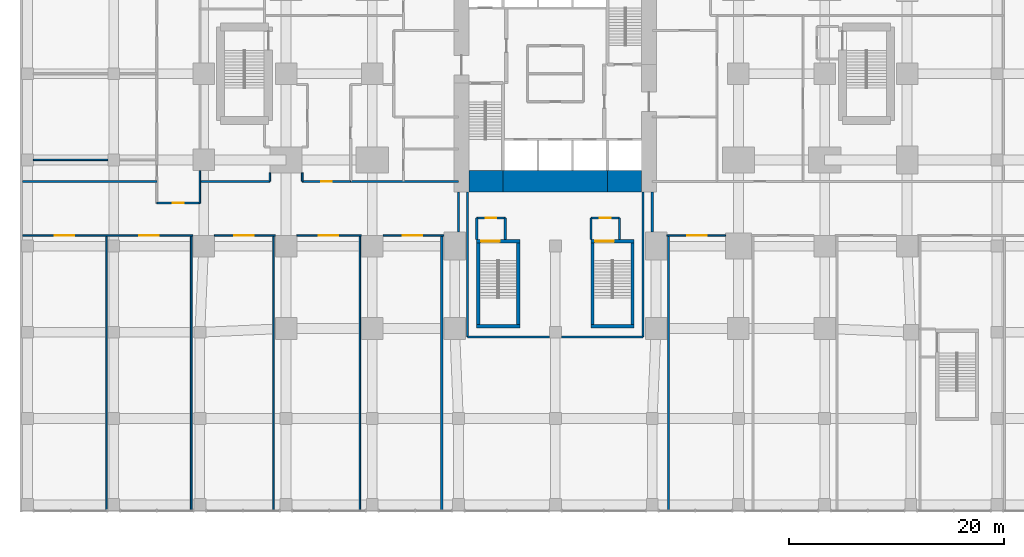
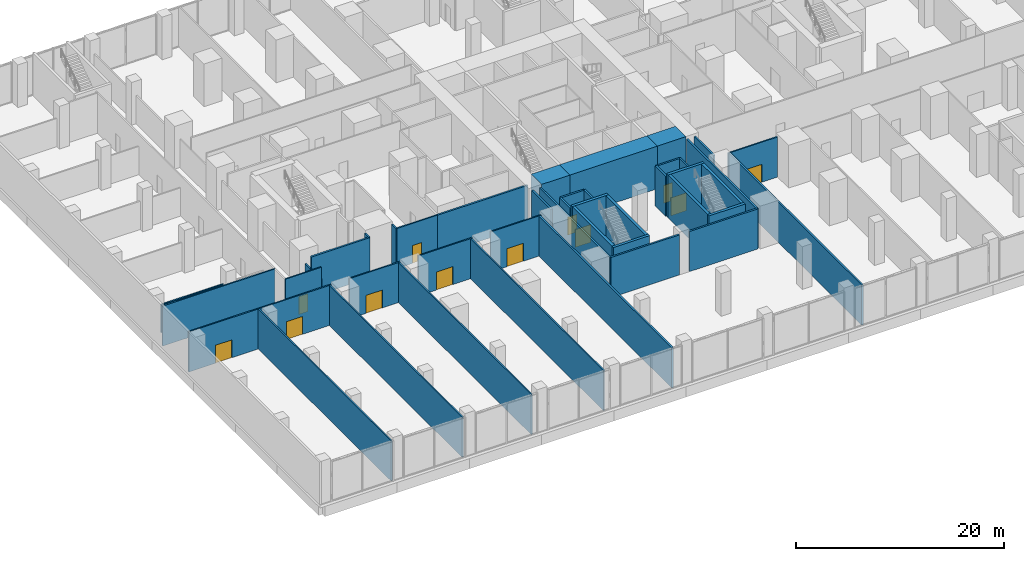
# One storey, part 12 of 22: 43 walls, 12 doors, 12 openings.
"""IFC4 building model written with IfcOpenShell, lengths in metres."""

from ifc_helpers import new_model, si_unit, direction, frame, frame_2d, origin, place, context, subcontext, project, spatial, rectangle, extrude, material, layer, layer_set, type_object, element, fill, save


model = new_model("IFC4")

# Units and contexts
model_context = context("Model", 3, precision=1e-05, world=origin(), true_north=direction((0.0, 1.0)))
body_context = subcontext(model_context, "Body", "Model", "MODEL_VIEW")
ifc_project = project(units=[si_unit("LENGTHUNIT", "METRE"), si_unit("AREAUNIT", "SQUARE_METRE"), si_unit("VOLUMEUNIT", "CUBIC_METRE"), si_unit("PLANEANGLEUNIT", "RADIAN"), si_unit("MASSUNIT", "GRAM", prefix="KILO")], contexts=[model_context])

# Site, building, storey
site_placement = place(None, origin())
site = spatial("IfcSite", under=ifc_project, at=site_placement, CompositionType="ELEMENT")
building_placement = place(site_placement, origin())
building = spatial("IfcBuilding", under=site, at=building_placement, Name="Cleftline Residences", CompositionType="ELEMENT")
storey_placement = place(building_placement, frame((0.0, 0.0, 6.0)))
storey = spatial("IfcBuildingStorey", under=building, at=storey_placement, Name="L01", CompositionType="ELEMENT", Elevation=6.0)

# Walls
ifc_material_1 = material(Name="Concrete B70", Category="concrete")
ifc_layer_1 = layer(ifc_material_1, 2.0)
ifc_layer_set_1 = layer_set([ifc_layer_1], Name="CORE WALL 2000")
wall_type_1 = type_object("IfcWallType", Name="CORE WALL 2000", PredefinedType="SHEAR", material=ifc_layer_set_1)
wall_1_placement = place(storey_placement, frame((25.0, 14.0, 0.0), z_axis=(0.0, 0.0, 1.0), x_axis=(1.0, 0.0, 0.0)))
element("IfcWall", 1, at=wall_1_placement, inside=storey, type_object=wall_type_1, Name="Core wall S1", PredefinedType="SHEAR", context=body_context, shape_type="SweptSolid", body=[
    extrude(rectangle(XDim=3.14990234375, YDim=2.0, at=frame_2d((1.574951171875, 0.0))), origin(), (0.0, 0.0, 1.0), 5.0),
])
wall_2_placement = place(storey_placement, frame((28.14990234375, 14.0, 0.0), z_axis=(0.0, 0.0, 1.0), x_axis=(1.0, 0.0, 0.0)))
element("IfcWall", 2, at=wall_2_placement, inside=storey, type_object=wall_type_1, Name="Core wall S2", PredefinedType="SHEAR", context=body_context, shape_type="SweptSolid", body=[
    extrude(rectangle(XDim=9.7001953125, YDim=2.0, at=frame_2d((4.85009765625, 0.0))), origin(), (0.0, 0.0, 1.0), 5.0),
])
wall_3_placement = place(storey_placement, frame((37.85009765625, 14.0, 0.0), z_axis=(0.0, 0.0, 1.0), x_axis=(1.0, 0.0, 0.0)))
element("IfcWall", 3, at=wall_3_placement, inside=storey, type_object=wall_type_1, Name="Core wall S3", PredefinedType="SHEAR", context=body_context, shape_type="SweptSolid", body=[
    extrude(rectangle(XDim=3.14990234375, YDim=2.0, at=frame_2d((1.574951171875, 0.0))), origin(), (0.0, 0.0, 1.0), 5.0),
])
ifc_material_2 = material(Name="Concrete blockwork, fire rated", Category="masonry")
ifc_layer_2 = layer(ifc_material_2, 0.199951171875)
ifc_layer_set_2 = layer_set([ifc_layer_2], Name="FIRE WALL 200")
wall_type_2 = type_object("IfcWallType", Name="FIRE WALL 200", PredefinedType="PARTITIONING", material=ifc_layer_set_2)
for number, where, z_axis, x_axis, name in (
    (4, (24.85009765625, -0.449951171875, 0.0), (0.0, 0.0, 1.0), (1.0, 0.0, 0.0), "Fire separating wall"),
    (5, (33.550048828125, -0.449951171875, 0.0), (0.0, 0.0, 1.0), (1.0, 0.0, 0.0), "Fire separating wall"),
):
    element("IfcWall", number, at=place(storey_placement, frame(where, z_axis=z_axis, x_axis=x_axis)), inside=storey, type_object=wall_type_2, Name=name, PredefinedType="PARTITIONING", context=body_context, shape_type="SweptSolid", body=[
        extrude(rectangle(XDim=7.599853515625, YDim=0.199951171875, at=frame_2d((3.7998046875, 0.0))), origin(), (0.0, 0.0, 1.0), 4.699951171875),
    ])

# Wall, opening, door
wall_4_placement = place(storey_placement, frame((25.699951171875, 10.60009765625, 0.0), z_axis=(0.0, 0.0, 1.0), x_axis=(1.0, 0.0, 0.0)))
wall_4 = element("IfcWall", 6, at=wall_4_placement, inside=storey, type_object=wall_type_2, Name="Fire separating wall", PredefinedType="PARTITIONING", context=body_context, shape_type="SweptSolid", body=[
    extrude(rectangle(XDim=2.650146484375, YDim=0.199951171875, at=frame_2d((1.3251953125, 0.0))), origin(), (0.0, 0.0, 1.0), 4.699951171875),
])
opening_1_placement = place(wall_4_placement, frame((0.824951171875, 0.0, 0.0)))
opening_1 = element("IfcOpeningElement", 7, at=opening_1_placement, cuts=wall_4, Name="Opening D2F60", PredefinedType="OPENING", context=body_context, shape_type="SweptSolid", body=[
    extrude(rectangle(XDim=1.0, YDim=2.10009765625, at=frame_2d((0.5, 1.050048828125))), frame((0.0, 0.10986328125, 0.0), z_axis=(0.0, -1.0, 0.0), x_axis=(1.0, 0.0, 0.0)), (0.0, 0.0, 1.0), 0.219970703125),
])
ifc_material_3 = material(Name="Timber veneer on solid core", Category="wood")
door_type_1 = type_object("IfcDoorType", Name="DOOR 1000X2100 EI 60", OperationType="SINGLE_SWING_LEFT", PredefinedType="DOOR", material=ifc_material_3)
door_1_placement = place(opening_1_placement, origin())
door_1 = element("IfcDoor", 8, at=door_1_placement, inside=storey, type_object=door_type_1, Name="Door to stair c lobby", OperationType="SINGLE_SWING_LEFT", OverallHeight=2.10009765625, OverallWidth=1.0, PredefinedType="DOOR", context=body_context, shape_type="SweptSolid", body=[
    extrude(rectangle(XDim=1.0, YDim=2.10009765625, at=frame_2d((0.5, 1.050048828125))), frame((0.0, 0.02490234375, 0.0), z_axis=(0.0, -1.0, 0.0), x_axis=(1.0, 0.0, 0.0)), (0.0, 0.0, 1.0), 0.050048828125),
])
fill(opening_1, door_1)

wall_5_placement = place(storey_placement, frame((36.300048828125, 10.60009765625, 0.0), z_axis=(0.0, 0.0, 1.0), x_axis=(1.0, 0.0, 0.0)))
wall_5 = element("IfcWall", 9, at=wall_5_placement, inside=storey, type_object=wall_type_2, Name="Fire separating wall", PredefinedType="PARTITIONING", context=body_context, shape_type="SweptSolid", body=[
    extrude(rectangle(XDim=2.64990234375, YDim=0.199951171875, at=frame_2d((1.324951171875, 0.0))), origin(), (0.0, 0.0, 1.0), 4.699951171875),
])
opening_2_placement = place(wall_5_placement, frame((0.824951171875, 0.0, 0.0)))
opening_2 = element("IfcOpeningElement", 10, at=opening_2_placement, cuts=wall_5, Name="Opening D2F60", PredefinedType="OPENING", context=body_context, shape_type="SweptSolid", body=[
    extrude(rectangle(XDim=1.0, YDim=2.10009765625, at=frame_2d((0.5, 1.050048828125))), frame((0.0, 0.10986328125, 0.0), z_axis=(0.0, -1.0, 0.0), x_axis=(1.0, 0.0, 0.0)), (0.0, 0.0, 1.0), 0.219970703125),
])
door_2_placement = place(opening_2_placement, origin())
door_2 = element("IfcDoor", 11, at=door_2_placement, inside=storey, type_object=door_type_1, Name="Door to stair c2 lobby", OperationType="SINGLE_SWING_LEFT", OverallHeight=2.10009765625, OverallWidth=1.0, PredefinedType="DOOR", context=body_context, shape_type="SweptSolid", body=[
    extrude(rectangle(XDim=1.0, YDim=2.10009765625, at=frame_2d((0.5, 1.050048828125))), frame((0.0, 0.02490234375, 0.0), z_axis=(0.0, -1.0, 0.0), x_axis=(1.0, 0.0, 0.0)), (0.0, 0.0, 1.0), 0.050048828125),
])
fill(opening_2, door_2)

# Walls
wall_6_placement = place(storey_placement, frame((0.0, 14.0, 0.0), z_axis=(0.0, 0.0, 1.0), x_axis=(1.0, 0.0, 0.0)))
element("IfcWall", 12, at=wall_6_placement, inside=storey, type_object=wall_type_2, Name="Fire separating wall", PredefinedType="PARTITIONING", context=body_context, shape_type="SweptSolid", body=[
    extrude(rectangle(XDim=6.5, YDim=0.199951171875, at=frame_2d((3.25, 0.0))), origin(), (0.0, 0.0, 1.0), 4.699951171875),
])
wall_7_placement = place(storey_placement, frame((14.0, 14.0, 0.0), z_axis=(0.0, 0.0, 1.0), x_axis=(1.0, 0.0, 0.0)))
element("IfcWall", 13, at=wall_7_placement, inside=storey, type_object=wall_type_2, Name="Fire separating wall", PredefinedType="PARTITIONING", context=body_context, shape_type="SweptSolid", body=[
    extrude(rectangle(XDim=10.0, YDim=0.199951171875, at=frame_2d((5.0, 0.0))), origin(), (0.0, 0.0, 1.0), 4.699951171875),
])
wall_8_placement = place(storey_placement, frame((22.449951171875, -16.56103515625, 0.0), z_axis=(0.0, 0.0, 1.0), x_axis=(0.0, 1.0, 0.0)))
element("IfcWall", 14, at=wall_8_placement, inside=storey, type_object=wall_type_2, Name="Fire separating wall", PredefinedType="PARTITIONING", context=body_context, shape_type="SweptSolid", body=[
    extrude(rectangle(XDim=25.56103515625, YDim=0.199951171875, at=frame_2d((12.780517578125, 0.0))), origin(), (0.0, 0.0, 1.0), 4.699951171875),
])
wall_9_placement = place(storey_placement, frame((24.0, 9.300048828125, 0.0), z_axis=(0.0, 0.0, 1.0), x_axis=(0.0, 1.0, 0.0)))
element("IfcWall", 15, at=wall_9_placement, inside=storey, type_object=wall_type_2, Name="Fire separating wall", PredefinedType="PARTITIONING", context=body_context, shape_type="SweptSolid", body=[
    extrude(rectangle(XDim=3.699951171875, YDim=0.199951171875, at=frame_2d((1.85009765625, 0.0))), origin(), (0.0, 0.0, 1.0), 4.699951171875),
])
wall_10_placement = place(storey_placement, frame((24.85009765625, -0.449951171875, 0.0), z_axis=(0.0, 0.0, 1.0), x_axis=(0.0, 1.0, 0.0)))
element("IfcWall", 16, at=wall_10_placement, inside=storey, type_object=wall_type_2, Name="Fire separating wall", PredefinedType="PARTITIONING", context=body_context, shape_type="SweptSolid", body=[
    extrude(rectangle(XDim=13.449951171875, YDim=0.199951171875, at=frame_2d((6.72509765625, 0.0))), origin(), (0.0, 0.0, 1.0), 4.699951171875),
])
for number, where, z_axis, x_axis, name in (
    (17, (25.699951171875, 8.60009765625, 0.0), (0.0, 0.0, 1.0), (0.0, 1.0, 0.0), "Fire separating wall"),
    (18, (28.35009765625, 8.60009765625, 0.0), (0.0, 0.0, 1.0), (0.0, 1.0, 0.0), "Fire separating wall"),
    (19, (36.300048828125, 8.60009765625, 0.0), (0.0, 0.0, 1.0), (0.0, 1.0, 0.0), "Fire separating wall"),
    (20, (38.949951171875, 8.60009765625, 0.0), (0.0, 0.0, 1.0), (0.0, 1.0, 0.0), "Fire separating wall"),
):
    element("IfcWall", number, at=place(storey_placement, frame(where, z_axis=z_axis, x_axis=x_axis)), inside=storey, type_object=wall_type_2, Name=name, PredefinedType="PARTITIONING", context=body_context, shape_type="SweptSolid", body=[
        extrude(rectangle(XDim=2.0, YDim=0.199951171875, at=frame_2d((1.0, 0.0))), origin(), (0.0, 0.0, 1.0), 4.699951171875),
    ])
wall_11_placement = place(storey_placement, frame((41.14990234375, -0.449951171875, 0.0), z_axis=(0.0, 0.0, 1.0), x_axis=(0.0, 1.0, 0.0)))
element("IfcWall", 21, at=wall_11_placement, inside=storey, type_object=wall_type_2, Name="Fire separating wall", PredefinedType="PARTITIONING", context=body_context, shape_type="SweptSolid", body=[
    extrude(rectangle(XDim=13.449951171875, YDim=0.199951171875, at=frame_2d((6.72509765625, 0.0))), origin(), (0.0, 0.0, 1.0), 4.699951171875),
])
wall_12_placement = place(storey_placement, frame((42.0, 9.300048828125, 0.0), z_axis=(0.0, 0.0, 1.0), x_axis=(0.0, 1.0, 0.0)))
element("IfcWall", 22, at=wall_12_placement, inside=storey, type_object=wall_type_2, Name="Fire separating wall", PredefinedType="PARTITIONING", context=body_context, shape_type="SweptSolid", body=[
    extrude(rectangle(XDim=3.699951171875, YDim=0.199951171875, at=frame_2d((1.85009765625, 0.0))), origin(), (0.0, 0.0, 1.0), 4.699951171875),
])
wall_13_placement = place(storey_placement, frame((43.5, -16.56103515625, 0.0), z_axis=(0.0, 0.0, 1.0), x_axis=(0.0, 1.0, 0.0)))
element("IfcWall", 23, at=wall_13_placement, inside=storey, type_object=wall_type_2, Name="Fire separating wall", PredefinedType="PARTITIONING", context=body_context, shape_type="SweptSolid", body=[
    extrude(rectangle(XDim=25.56103515625, YDim=0.199951171875, at=frame_2d((12.780517578125, 0.0))), origin(), (0.0, 0.0, 1.0), 4.699951171875),
])

# Wall, openings, doors
ifc_material_4 = material(Name="Gypsum board on steel studs", Category="steel")
ifc_layer_3 = layer(ifc_material_4, 0.14990234375)
ifc_layer_set_3 = layer_set([ifc_layer_3], Name="PARTITION 150")
wall_type_3 = type_object("IfcWallType", Name="PARTITION 150", PredefinedType="PARTITIONING", material=ifc_layer_set_3)
wall_14_placement = place(storey_placement, frame((-16.449951171875, 9.0, 0.0), z_axis=(0.0, 0.0, 1.0), x_axis=(1.0, 0.0, 0.0)))
wall_14 = element("IfcWall", 24, at=wall_14_placement, inside=storey, type_object=wall_type_3, Name="Partition", PredefinedType="PARTITIONING", context=body_context, shape_type="SweptSolid", body=[
    extrude(rectangle(XDim=15.800048828125, YDim=0.14990234375, at=frame_2d((7.89990234375, 0.0))), origin(), (0.0, 0.0, 1.0), 4.699951171875),
])
opening_3_placement = place(wall_14_placement, frame((2.985107421875, 0.0, 0.0)))
opening_3 = element("IfcOpeningElement", 25, at=opening_3_placement, cuts=wall_14, Name="Opening D3", PredefinedType="OPENING", context=body_context, shape_type="SweptSolid", body=[
    extrude(rectangle(XDim=1.800048828125, YDim=2.10009765625, at=frame_2d((0.89990234375, 1.050048828125))), frame((0.0, 0.0849609375, 0.0), z_axis=(0.0, -1.0, 0.0), x_axis=(1.0, 0.0, 0.0)), (0.0, 0.0, 1.0), 0.169921875),
])
opening_4_placement = place(wall_14_placement, frame((10.81005859375, 0.0, 0.0)))
opening_4 = element("IfcOpeningElement", 26, at=opening_4_placement, cuts=wall_14, Name="Opening D3", PredefinedType="OPENING", context=body_context, shape_type="SweptSolid", body=[
    extrude(rectangle(XDim=1.800048828125, YDim=2.10009765625, at=frame_2d((0.89990234375, 1.050048828125))), frame((0.0, 0.0849609375, 0.0), z_axis=(0.0, -1.0, 0.0), x_axis=(1.0, 0.0, 0.0)), (0.0, 0.0, 1.0), 0.169921875),
])
ifc_material_5 = material(Name="Timber veneer on solid core", Category="wood")
door_type_2 = type_object("IfcDoorType", Name="DOUBLE DOOR 1800X2100", OperationType="DOUBLE_DOOR_DOUBLE_SWING", PredefinedType="DOOR", material=ifc_material_5)
door_3_placement = place(opening_3_placement, origin())
door_3 = element("IfcDoor", 27, at=door_3_placement, inside=storey, type_object=door_type_2, Name="Door to residents' club lounge", OperationType="DOUBLE_DOOR_DOUBLE_SWING", OverallHeight=2.10009765625, OverallWidth=1.800048828125, PredefinedType="DOOR", context=body_context, shape_type="SweptSolid", body=[
    extrude(rectangle(XDim=1.800048828125, YDim=2.10009765625, at=frame_2d((0.89990234375, 1.050048828125))), frame((0.0, 0.02490234375, 0.0), z_axis=(0.0, -1.0, 0.0), x_axis=(1.0, 0.0, 0.0)), (0.0, 0.0, 1.0), 0.050048828125),
])
fill(opening_3, door_3)
door_4_placement = place(opening_4_placement, origin())
door_4 = element("IfcDoor", 28, at=door_4_placement, inside=storey, type_object=door_type_2, Name="Door to club dining room", OperationType="DOUBLE_DOOR_DOUBLE_SWING", OverallHeight=2.10009765625, OverallWidth=1.800048828125, PredefinedType="DOOR", context=body_context, shape_type="SweptSolid", body=[
    extrude(rectangle(XDim=1.800048828125, YDim=2.10009765625, at=frame_2d((0.89990234375, 1.050048828125))), frame((0.0, 0.02490234375, 0.0), z_axis=(0.0, -1.0, 0.0), x_axis=(1.0, 0.0, 0.0)), (0.0, 0.0, 1.0), 0.050048828125),
])
fill(opening_4, door_4)

# Wall, opening, door
wall_15_placement = place(storey_placement, frame((1.35009765625, 9.0, 0.0), z_axis=(0.0, 0.0, 1.0), x_axis=(1.0, 0.0, 0.0)))
wall_15 = element("IfcWall", 29, at=wall_15_placement, inside=storey, type_object=wall_type_3, Name="Partition", PredefinedType="PARTITIONING", context=body_context, shape_type="SweptSolid", body=[
    extrude(rectangle(XDim=5.64990234375, YDim=0.14990234375, at=frame_2d((2.824951171875, 0.0))), origin(), (0.0, 0.0, 1.0), 4.699951171875),
])
opening_5_placement = place(wall_15_placement, frame((1.85009765625, 0.0, 0.0)))
opening_5 = element("IfcOpeningElement", 30, at=opening_5_placement, cuts=wall_15, Name="Opening D3", PredefinedType="OPENING", context=body_context, shape_type="SweptSolid", body=[
    extrude(rectangle(XDim=1.800048828125, YDim=2.10009765625, at=frame_2d((0.89990234375, 1.050048828125))), frame((0.0, 0.0849609375, 0.0), z_axis=(0.0, -1.0, 0.0), x_axis=(1.0, 0.0, 0.0)), (0.0, 0.0, 1.0), 0.169921875),
])
door_5_placement = place(opening_5_placement, origin())
door_5 = element("IfcDoor", 31, at=door_5_placement, inside=storey, type_object=door_type_2, Name="Door to library lounge", OperationType="DOUBLE_DOOR_DOUBLE_SWING", OverallHeight=2.10009765625, OverallWidth=1.800048828125, PredefinedType="DOOR", context=body_context, shape_type="SweptSolid", body=[
    extrude(rectangle(XDim=1.800048828125, YDim=2.10009765625, at=frame_2d((0.89990234375, 1.050048828125))), frame((0.0, 0.02490234375, 0.0), z_axis=(0.0, -1.0, 0.0), x_axis=(1.0, 0.0, 0.0)), (0.0, 0.0, 1.0), 0.050048828125),
])
fill(opening_5, door_5)

wall_16_placement = place(storey_placement, frame((9.0, 9.0, 0.0), z_axis=(0.0, 0.0, 1.0), x_axis=(1.0, 0.0, 0.0)))
wall_16 = element("IfcWall", 32, at=wall_16_placement, inside=storey, type_object=wall_type_3, Name="Partition", PredefinedType="PARTITIONING", context=body_context, shape_type="SweptSolid", body=[
    extrude(rectangle(XDim=6.0, YDim=0.14990234375, at=frame_2d((3.0, 0.0))), origin(), (0.0, 0.0, 1.0), 4.699951171875),
])
opening_6_placement = place(wall_16_placement, frame((2.02490234375, 0.0, 0.0)))
opening_6 = element("IfcOpeningElement", 33, at=opening_6_placement, cuts=wall_16, Name="Opening D3", PredefinedType="OPENING", context=body_context, shape_type="SweptSolid", body=[
    extrude(rectangle(XDim=1.800048828125, YDim=2.10009765625, at=frame_2d((0.89990234375, 1.050048828125))), frame((0.0, 0.0849609375, 0.0), z_axis=(0.0, -1.0, 0.0), x_axis=(1.0, 0.0, 0.0)), (0.0, 0.0, 1.0), 0.169921875),
])
door_6_placement = place(opening_6_placement, origin())
door_6 = element("IfcDoor", 34, at=door_6_placement, inside=storey, type_object=door_type_2, Name="Door to bar lounge", OperationType="DOUBLE_DOOR_DOUBLE_SWING", OverallHeight=2.10009765625, OverallWidth=1.800048828125, PredefinedType="DOOR", context=body_context, shape_type="SweptSolid", body=[
    extrude(rectangle(XDim=1.800048828125, YDim=2.10009765625, at=frame_2d((0.89990234375, 1.050048828125))), frame((0.0, 0.02490234375, 0.0), z_axis=(0.0, -1.0, 0.0), x_axis=(1.0, 0.0, 0.0)), (0.0, 0.0, 1.0), 0.050048828125),
])
fill(opening_6, door_6)

wall_17_placement = place(storey_placement, frame((17.0, 9.0, 0.0), z_axis=(0.0, 0.0, 1.0), x_axis=(1.0, 0.0, 0.0)))
wall_17 = element("IfcWall", 35, at=wall_17_placement, inside=storey, type_object=wall_type_3, Name="Partition", PredefinedType="PARTITIONING", context=body_context, shape_type="SweptSolid", body=[
    extrude(rectangle(XDim=5.64990234375, YDim=0.14990234375, at=frame_2d((2.824951171875, 0.0))), origin(), (0.0, 0.0, 1.0), 4.699951171875),
])
opening_7_placement = place(wall_17_placement, frame((1.824951171875, 0.0, 0.0)))
opening_7 = element("IfcOpeningElement", 36, at=opening_7_placement, cuts=wall_17, Name="Opening D3", PredefinedType="OPENING", context=body_context, shape_type="SweptSolid", body=[
    extrude(rectangle(XDim=1.800048828125, YDim=2.10009765625, at=frame_2d((0.89990234375, 1.050048828125))), frame((0.0, 0.0849609375, 0.0), z_axis=(0.0, -1.0, 0.0), x_axis=(1.0, 0.0, 0.0)), (0.0, 0.0, 1.0), 0.169921875),
])
door_7_placement = place(opening_7_placement, origin())
door_7 = element("IfcDoor", 37, at=door_7_placement, inside=storey, type_object=door_type_2, Name="Door to card room", OperationType="DOUBLE_DOOR_DOUBLE_SWING", OverallHeight=2.10009765625, OverallWidth=1.800048828125, PredefinedType="DOOR", context=body_context, shape_type="SweptSolid", body=[
    extrude(rectangle(XDim=1.800048828125, YDim=2.10009765625, at=frame_2d((0.89990234375, 1.050048828125))), frame((0.0, 0.02490234375, 0.0), z_axis=(0.0, -1.0, 0.0), x_axis=(1.0, 0.0, 0.0)), (0.0, 0.0, 1.0), 0.050048828125),
])
fill(opening_7, door_7)

wall_18_placement = place(storey_placement, frame((43.35009765625, 9.0, 0.0), z_axis=(0.0, 0.0, 1.0), x_axis=(1.0, 0.0, 0.0)))
wall_18 = element("IfcWall", 38, at=wall_18_placement, inside=storey, type_object=wall_type_3, Name="Partition", PredefinedType="PARTITIONING", context=body_context, shape_type="SweptSolid", body=[
    extrude(rectangle(XDim=5.449951171875, YDim=0.14990234375, at=frame_2d((2.72509765625, 0.0))), origin(), (0.0, 0.0, 1.0), 4.699951171875),
])
opening_8_placement = place(wall_18_placement, frame((1.89990234375, 0.0, 0.0)))
opening_8 = element("IfcOpeningElement", 39, at=opening_8_placement, cuts=wall_18, Name="Opening D3", PredefinedType="OPENING", context=body_context, shape_type="SweptSolid", body=[
    extrude(rectangle(XDim=1.800048828125, YDim=2.10009765625, at=frame_2d((0.89990234375, 1.050048828125))), frame((0.0, 0.0849609375, 0.0), z_axis=(0.0, -1.0, 0.0), x_axis=(1.0, 0.0, 0.0)), (0.0, 0.0, 1.0), 0.169921875),
])
door_8_placement = place(opening_8_placement, origin())
door_8 = element("IfcDoor", 40, at=door_8_placement, inside=storey, type_object=door_type_2, Name="Door to business lounge", OperationType="DOUBLE_DOOR_DOUBLE_SWING", OverallHeight=2.10009765625, OverallWidth=1.800048828125, PredefinedType="DOOR", context=body_context, shape_type="SweptSolid", body=[
    extrude(rectangle(XDim=1.800048828125, YDim=2.10009765625, at=frame_2d((0.89990234375, 1.050048828125))), frame((0.0, 0.02490234375, 0.0), z_axis=(0.0, -1.0, 0.0), x_axis=(1.0, 0.0, 0.0)), (0.0, 0.0, 1.0), 0.050048828125),
])
fill(opening_8, door_8)

wall_19_placement = place(storey_placement, frame((-4.0, 12.0, 0.0), z_axis=(0.0, 0.0, 1.0), x_axis=(1.0, 0.0, 0.0)))
wall_19 = element("IfcWall", 41, at=wall_19_placement, inside=storey, type_object=wall_type_3, Name="Partition", PredefinedType="PARTITIONING", context=body_context, shape_type="SweptSolid", body=[
    extrude(rectangle(XDim=4.0, YDim=0.14990234375, at=frame_2d((2.0, 0.0))), origin(), (0.0, 0.0, 1.0), 4.699951171875),
])
opening_9_placement = place(wall_19_placement, frame((1.5, 0.0, 0.0)))
opening_9 = element("IfcOpeningElement", 42, at=opening_9_placement, cuts=wall_19, Name="Opening D2F30", PredefinedType="OPENING", context=body_context, shape_type="SweptSolid", body=[
    extrude(rectangle(XDim=1.0, YDim=2.10009765625, at=frame_2d((0.5, 1.050048828125))), frame((0.0, 0.0849609375, 0.0), z_axis=(0.0, -1.0, 0.0), x_axis=(1.0, 0.0, 0.0)), (0.0, 0.0, 1.0), 0.169921875),
])
ifc_material_6 = material(Name="Timber veneer on solid core", Category="wood")
door_type_3 = type_object("IfcDoorType", Name="DOOR 1000X2100 EI 30", OperationType="SINGLE_SWING_LEFT", PredefinedType="DOOR", material=ifc_material_6)
door_9_placement = place(opening_9_placement, origin())
door_9 = element("IfcDoor", 43, at=door_9_placement, inside=storey, type_object=door_type_3, Name="Door to club service corridor", OperationType="SINGLE_SWING_LEFT", OverallHeight=2.10009765625, OverallWidth=1.0, PredefinedType="DOOR", context=body_context, shape_type="SweptSolid", body=[
    extrude(rectangle(XDim=1.0, YDim=2.10009765625, at=frame_2d((0.5, 1.050048828125))), frame((0.0, 0.02490234375, 0.0), z_axis=(0.0, -1.0, 0.0), x_axis=(1.0, 0.0, 0.0)), (0.0, 0.0, 1.0), 0.050048828125),
])
fill(opening_9, door_9)

# Wall
wall_20_placement = place(storey_placement, frame((-16.449951171875, 14.0, 0.0), z_axis=(0.0, 0.0, 1.0), x_axis=(1.0, 0.0, 0.0)))
element("IfcWall", 44, at=wall_20_placement, inside=storey, type_object=wall_type_3, Name="Partition", PredefinedType="PARTITIONING", context=body_context, shape_type="SweptSolid", body=[
    extrude(rectangle(XDim=12.449951171875, YDim=0.14990234375, at=frame_2d((6.22509765625, 0.0))), origin(), (0.0, 0.0, 1.0), 4.699951171875),
])

# Wall, opening, door
wall_21_placement = place(storey_placement, frame((9.5, 14.0, 0.0), z_axis=(0.0, 0.0, 1.0), x_axis=(1.0, 0.0, 0.0)))
wall_21 = element("IfcWall", 45, at=wall_21_placement, inside=storey, type_object=wall_type_3, Name="Partition", PredefinedType="PARTITIONING", context=body_context, shape_type="SweptSolid", body=[
    extrude(rectangle(XDim=4.5, YDim=0.14990234375, at=frame_2d((2.25, 0.0))), origin(), (0.0, 0.0, 1.0), 4.699951171875),
])
opening_10_placement = place(wall_21_placement, frame((1.75, 0.0, 0.0)))
opening_10 = element("IfcOpeningElement", 46, at=opening_10_placement, cuts=wall_21, Name="Opening D2F30", PredefinedType="OPENING", context=body_context, shape_type="SweptSolid", body=[
    extrude(rectangle(XDim=1.0, YDim=2.10009765625, at=frame_2d((0.5, 1.050048828125))), frame((0.0, 0.0849609375, 0.0), z_axis=(0.0, -1.0, 0.0), x_axis=(1.0, 0.0, 0.0)), (0.0, 0.0, 1.0), 0.169921875),
])
door_10_placement = place(opening_10_placement, origin())
door_10 = element("IfcDoor", 47, at=door_10_placement, inside=storey, type_object=door_type_3, Name="Door to club corridor", OperationType="SINGLE_SWING_LEFT", OverallHeight=2.10009765625, OverallWidth=1.0, PredefinedType="DOOR", context=body_context, shape_type="SweptSolid", body=[
    extrude(rectangle(XDim=1.0, YDim=2.10009765625, at=frame_2d((0.5, 1.050048828125))), frame((0.0, 0.02490234375, 0.0), z_axis=(0.0, -1.0, 0.0), x_axis=(1.0, 0.0, 0.0)), (0.0, 0.0, 1.0), 0.050048828125),
])
fill(opening_10, door_10)

# Walls
wall_22_placement = place(storey_placement, frame((-15.449951171875, 16.0, 0.0), z_axis=(0.0, 0.0, 1.0), x_axis=(1.0, 0.0, 0.0)))
element("IfcWall", 48, at=wall_22_placement, inside=storey, type_object=wall_type_3, Name="Partition", PredefinedType="PARTITIONING", context=body_context, shape_type="SweptSolid", body=[
    extrude(rectangle(XDim=6.89990234375, YDim=0.14990234375, at=frame_2d((3.449951171875, 0.0))), origin(), (0.0, 0.0, 1.0), 3.300048828125),
])
for number, where, z_axis, x_axis, name in (
    (49, (-8.679931640625, -16.56103515625, 0.0), (0.0, 0.0, 1.0), (0.0, 1.0, 0.0), "Partition"),
    (50, (-0.800048828125, -16.56103515625, 0.0), (0.0, 0.0, 1.0), (0.0, 1.0, 0.0), "Partition"),
):
    element("IfcWall", number, at=place(storey_placement, frame(where, z_axis=z_axis, x_axis=x_axis)), inside=storey, type_object=wall_type_3, Name=name, PredefinedType="PARTITIONING", context=body_context, shape_type="SweptSolid", body=[
        extrude(rectangle(XDim=25.56103515625, YDim=0.14990234375, at=frame_2d((12.780517578125, 0.0))), origin(), (0.0, 0.0, 1.0), 4.699951171875),
    ])
wall_23_placement = place(storey_placement, frame((0.0, 12.0, 0.0), z_axis=(0.0, 0.0, 1.0), x_axis=(0.0, 1.0, 0.0)))
element("IfcWall", 51, at=wall_23_placement, inside=storey, type_object=wall_type_3, Name="Partition", PredefinedType="PARTITIONING", context=body_context, shape_type="SweptSolid", body=[
    extrude(rectangle(XDim=3.0, YDim=0.14990234375, at=frame_2d((1.5, 0.0))), origin(), (0.0, 0.0, 1.0), 3.300048828125),
])
wall_24_placement = place(storey_placement, frame((6.5, 14.0, 0.0), z_axis=(0.0, 0.0, 1.0), x_axis=(0.0, 1.0, 0.0)))
element("IfcWall", 52, at=wall_24_placement, inside=storey, type_object=wall_type_3, Name="Partition", PredefinedType="PARTITIONING", context=body_context, shape_type="SweptSolid", body=[
    extrude(rectangle(XDim=0.800048828125, YDim=0.14990234375, at=frame_2d((0.39990234375, 0.0))), origin(), (0.0, 0.0, 1.0), 4.699951171875),
])
wall_25_placement = place(storey_placement, frame((6.85009765625, -16.56103515625, 0.0), z_axis=(0.0, 0.0, 1.0), x_axis=(0.0, 1.0, 0.0)))
element("IfcWall", 53, at=wall_25_placement, inside=storey, type_object=wall_type_3, Name="Partition", PredefinedType="PARTITIONING", context=body_context, shape_type="SweptSolid", body=[
    extrude(rectangle(XDim=25.56103515625, YDim=0.14990234375, at=frame_2d((12.780517578125, 0.0))), origin(), (0.0, 0.0, 1.0), 4.699951171875),
])
wall_26_placement = place(storey_placement, frame((9.5, 14.0, 0.0), z_axis=(0.0, 0.0, 1.0), x_axis=(0.0, 1.0, 0.0)))
element("IfcWall", 54, at=wall_26_placement, inside=storey, type_object=wall_type_3, Name="Partition", PredefinedType="PARTITIONING", context=body_context, shape_type="SweptSolid", body=[
    extrude(rectangle(XDim=0.800048828125, YDim=0.14990234375, at=frame_2d((0.39990234375, 0.0))), origin(), (0.0, 0.0, 1.0), 4.699951171875),
])
wall_27_placement = place(storey_placement, frame((14.85009765625, -16.56103515625, 0.0), z_axis=(0.0, 0.0, 1.0), x_axis=(0.0, 1.0, 0.0)))
element("IfcWall", 55, at=wall_27_placement, inside=storey, type_object=wall_type_3, Name="Partition", PredefinedType="PARTITIONING", context=body_context, shape_type="SweptSolid", body=[
    extrude(rectangle(XDim=25.56103515625, YDim=0.14990234375, at=frame_2d((12.780517578125, 0.0))), origin(), (0.0, 0.0, 1.0), 4.699951171875),
])
ifc_material_7 = material(Name="Concrete blockwork, fire rated", Category="masonry")
ifc_layer_4 = layer(ifc_material_7, 0.300048828125)
ifc_layer_set_4 = layer_set([ifc_layer_4], Name="STAIR ENCLOSURE WALL 300")
wall_type_4 = type_object("IfcWallType", Name="STAIR ENCLOSURE WALL 300", PredefinedType="PARTITIONING", material=ifc_layer_set_4)
wall_28_placement = place(storey_placement, frame((25.699951171875, 0.550048828125, 0.0), z_axis=(0.0, 0.0, 1.0), x_axis=(1.0, 0.0, 0.0)))
element("IfcWall", 56, at=wall_28_placement, inside=storey, type_object=wall_type_4, Name="Stair C enclosure", PredefinedType="PARTITIONING", context=body_context, shape_type="SweptSolid", body=[
    extrude(rectangle(XDim=4.0, YDim=0.300048828125, at=frame_2d((2.0, 0.0))), origin(), (0.0, 0.0, 1.0), 5.0),
])

# Wall, opening, door
wall_29_placement = place(storey_placement, frame((25.699951171875, 8.449951171875, 0.0), z_axis=(0.0, 0.0, 1.0), x_axis=(1.0, 0.0, 0.0)))
wall_29 = element("IfcWall", 57, at=wall_29_placement, inside=storey, type_object=wall_type_4, Name="Stair C enclosure", PredefinedType="PARTITIONING", context=body_context, shape_type="SweptSolid", body=[
    extrude(rectangle(XDim=4.0, YDim=0.300048828125, at=frame_2d((2.0, 0.0))), origin(), (0.0, 0.0, 1.0), 5.0),
])
opening_11_placement = place(wall_29_placement, frame((0.39990234375, 0.0, 0.0)))
opening_11 = element("IfcOpeningElement", 58, at=opening_11_placement, cuts=wall_29, Name="Opening D11", PredefinedType="OPENING", context=body_context, shape_type="SweptSolid", body=[
    extrude(rectangle(XDim=1.72998046875, YDim=2.10009765625, at=frame_2d((0.864990234375, 1.050048828125))), frame((0.0, 0.159912109375, 0.0), z_axis=(0.0, -1.0, 0.0), x_axis=(1.0, 0.0, 0.0)), (0.0, 0.0, 1.0), 0.320068359375),
])
ifc_material_8 = material(Name="Steel", Category="steel")
door_type_4 = type_object("IfcDoorType", Name="STAIR DOOR 1730X2100", OperationType="DOUBLE_DOOR_SINGLE_SWING", PredefinedType="DOOR", material=ifc_material_8)
door_11_placement = place(opening_11_placement, origin())
door_11 = element("IfcDoor", 59, at=door_11_placement, inside=storey, type_object=door_type_4, Name="Stair C door", OperationType="DOUBLE_DOOR_SINGLE_SWING", OverallHeight=2.10009765625, OverallWidth=1.72998046875, PredefinedType="DOOR", context=body_context, shape_type="SweptSolid", body=[
    extrude(rectangle(XDim=1.72998046875, YDim=2.10009765625, at=frame_2d((0.864990234375, 1.050048828125))), frame((0.0, 0.02490234375, 0.0), z_axis=(0.0, -1.0, 0.0), x_axis=(1.0, 0.0, 0.0)), (0.0, 0.0, 1.0), 0.050048828125),
])
fill(opening_11, door_11)

# Walls
for number, where, z_axis, x_axis, name in (
    (60, (25.85009765625, 0.699951171875, 0.0), (0.0, 0.0, 1.0), (0.0, 1.0, 0.0), "Stair C enclosure"),
    (61, (29.550048828125, 0.699951171875, 0.0), (0.0, 0.0, 1.0), (0.0, 1.0, 0.0), "Stair C enclosure"),
):
    element("IfcWall", number, at=place(storey_placement, frame(where, z_axis=z_axis, x_axis=x_axis)), inside=storey, type_object=wall_type_4, Name=name, PredefinedType="PARTITIONING", context=body_context, shape_type="SweptSolid", body=[
        extrude(rectangle(XDim=7.60009765625, YDim=0.300048828125, at=frame_2d((3.800048828125, 0.0))), origin(), (0.0, 0.0, 1.0), 5.0),
    ])
wall_30_placement = place(storey_placement, frame((36.300048828125, 0.550048828125, 0.0), z_axis=(0.0, 0.0, 1.0), x_axis=(1.0, 0.0, 0.0)))
element("IfcWall", 62, at=wall_30_placement, inside=storey, type_object=wall_type_4, Name="Stair C2 enclosure", PredefinedType="PARTITIONING", context=body_context, shape_type="SweptSolid", body=[
    extrude(rectangle(XDim=4.0, YDim=0.300048828125, at=frame_2d((2.0, 0.0))), origin(), (0.0, 0.0, 1.0), 5.0),
])

# Wall, opening, door
wall_31_placement = place(storey_placement, frame((36.300048828125, 8.449951171875, 0.0), z_axis=(0.0, 0.0, 1.0), x_axis=(1.0, 0.0, 0.0)))
wall_31 = element("IfcWall", 63, at=wall_31_placement, inside=storey, type_object=wall_type_4, Name="Stair C2 enclosure", PredefinedType="PARTITIONING", context=body_context, shape_type="SweptSolid", body=[
    extrude(rectangle(XDim=4.0, YDim=0.300048828125, at=frame_2d((2.0, 0.0))), origin(), (0.0, 0.0, 1.0), 5.0),
])
opening_12_placement = place(wall_31_placement, frame((0.39990234375, 0.0, 0.0)))
opening_12 = element("IfcOpeningElement", 64, at=opening_12_placement, cuts=wall_31, Name="Opening D11", PredefinedType="OPENING", context=body_context, shape_type="SweptSolid", body=[
    extrude(rectangle(XDim=1.72998046875, YDim=2.10009765625, at=frame_2d((0.864990234375, 1.050048828125))), frame((0.0, 0.159912109375, 0.0), z_axis=(0.0, -1.0, 0.0), x_axis=(1.0, 0.0, 0.0)), (0.0, 0.0, 1.0), 0.320068359375),
])
door_12_placement = place(opening_12_placement, origin())
door_12 = element("IfcDoor", 65, at=door_12_placement, inside=storey, type_object=door_type_4, Name="Stair C2 door", OperationType="DOUBLE_DOOR_SINGLE_SWING", OverallHeight=2.10009765625, OverallWidth=1.72998046875, PredefinedType="DOOR", context=body_context, shape_type="SweptSolid", body=[
    extrude(rectangle(XDim=1.72998046875, YDim=2.10009765625, at=frame_2d((0.864990234375, 1.050048828125))), frame((0.0, 0.02490234375, 0.0), z_axis=(0.0, -1.0, 0.0), x_axis=(1.0, 0.0, 0.0)), (0.0, 0.0, 1.0), 0.050048828125),
])
fill(opening_12, door_12)

# Walls
for number, where, z_axis, x_axis, name in (
    (66, (36.449951171875, 0.699951171875, 0.0), (0.0, 0.0, 1.0), (0.0, 1.0, 0.0), "Stair C2 enclosure"),
    (67, (40.14990234375, 0.699951171875, 0.0), (0.0, 0.0, 1.0), (0.0, 1.0, 0.0), "Stair C2 enclosure"),
):
    element("IfcWall", number, at=place(storey_placement, frame(where, z_axis=z_axis, x_axis=x_axis)), inside=storey, type_object=wall_type_4, Name=name, PredefinedType="PARTITIONING", context=body_context, shape_type="SweptSolid", body=[
        extrude(rectangle(XDim=7.60009765625, YDim=0.300048828125, at=frame_2d((3.800048828125, 0.0))), origin(), (0.0, 0.0, 1.0), 5.0),
    ])

save(model, "model.ifc")
